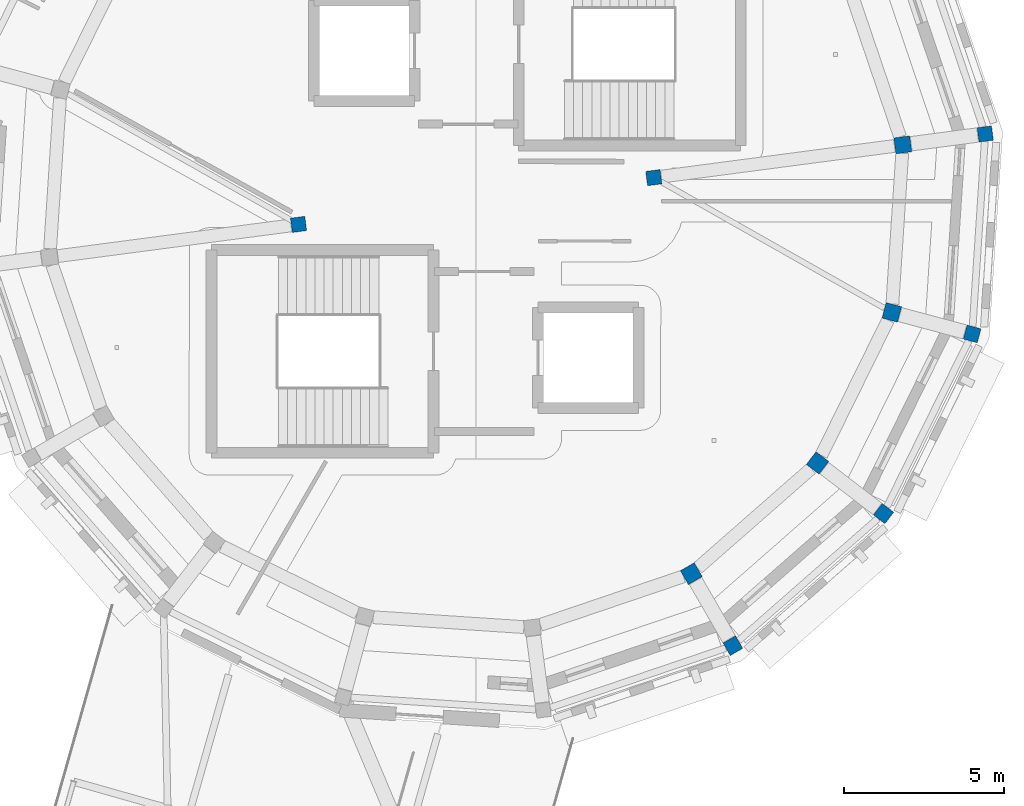
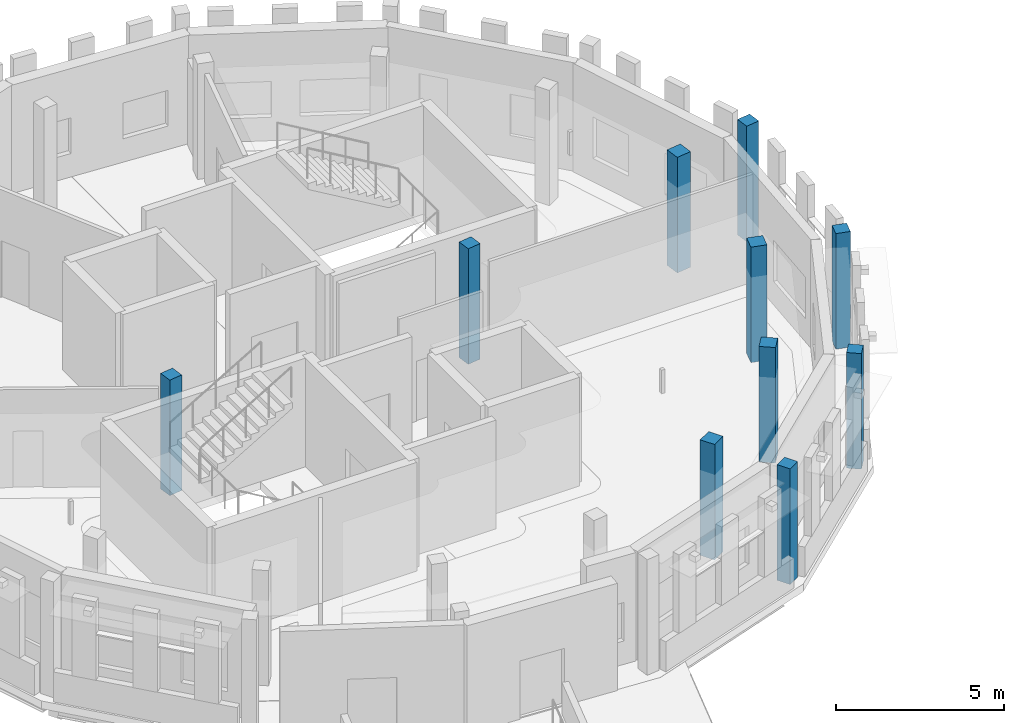
# One storey, part 16 of 68: 10 columns.
"""IFC4 building model written with IfcOpenShell, lengths in metres."""

from ifc_helpers import new_model, si_unit, direction, frame, origin, origin_2d, place, context, subcontext, project, spatial, rectangle, extrude, material, material_profile, profile_set, type_object, element, save


model = new_model("IFC4")

# Units and contexts
model_context = context("Model", 3, precision=1e-05, world=origin(), true_north=direction((0.0, 1.0)))
body_context = subcontext(model_context, "Body", "Model", "MODEL_VIEW")
ifc_project = project(units=[si_unit("LENGTHUNIT", "METRE"), si_unit("AREAUNIT", "SQUARE_METRE"), si_unit("VOLUMEUNIT", "CUBIC_METRE"), si_unit("PLANEANGLEUNIT", "RADIAN"), si_unit("MASSUNIT", "GRAM", prefix="KILO")], contexts=[model_context])

# Site, building, storey
site_placement = place(None, origin())
site = spatial("IfcSite", under=ifc_project, at=site_placement, CompositionType="ELEMENT")
building_placement = place(site_placement, origin())
building = spatial("IfcBuilding", under=site, at=building_placement, Name="Wrenclough Park School", CompositionType="ELEMENT")
storey_placement = place(building_placement, frame((0.0, 0.0, 12.60009765625)))
storey = spatial("IfcBuildingStorey", under=building, at=storey_placement, Name="L03", CompositionType="ELEMENT", Elevation=12.60009765625)

# Columns
ifc_material = material(Name="Concrete C40/50", Category="concrete")
ifc_material_profile_1 = material_profile(ifc_material, rectangle(XDim=0.449951171875, YDim=0.449951171875, at=origin_2d()), Name="RC COL 450x450")
ifc_profile_set_1 = profile_set([ifc_material_profile_1], Name="Concrete C40/50")
column_type_1 = type_object("IfcColumnType", Name="STR-COL-RC450", PredefinedType="COLUMN", material=ifc_profile_set_1)
for number, where, z_axis, x_axis, name in (
    (1, (190.41259765625, 95.594970703125, 0.0), (0.0, 0.0, 1.0), (-0.13052619222, 0.991444861374, 0.0), "D5 L03 column D5-OUT-01"),
    (2, (182.52490234375, 79.600341796875, 0.0), (0.0, 0.0, 1.0), (0.866025403784, 0.5, 0.0), "D5 L03 column D5-OUT-14"),
    (3, (187.2333984375, 83.7294921875, 0.0), (0.0, 0.0, 1.0), (0.608761429009, 0.793353340291, 0.0), "D5 L03 column D5-OUT-15"),
    (4, (190.003173828125, 89.345947265625, 0.0), (0.0, 0.0, 1.0), (0.258819045103, 0.965925826289, 0.0), "D5 L03 column D5-OUT-16"),
    (5, (180.052001953125, 94.23095703125, 0.0), (0.0, 0.0, 1.0), (0.991444861374, 0.13052619222, 0.0), "D5 L03 column D5-INN-01"),
    (6, (168.947998046875, 92.76904296875, 0.0), (0.0, 0.0, 1.0), (-0.991444861374, -0.13052619222, 0.0), "D5 L03 column D5-INN-05"),
):
    element("IfcColumn", number, at=place(storey_placement, frame(where, z_axis=z_axis, x_axis=x_axis)), inside=storey, type_object=column_type_1, Name=name, PredefinedType="COLUMN", context=body_context, shape_type="SweptSolid", body=[
        extrude(rectangle(XDim=0.449951171875, YDim=0.449951171875, at=origin_2d()), origin(), (0.0, 0.0, 1.0), 4.199951171875),
    ])
ifc_material_profile_2 = material_profile(ifc_material, rectangle(XDim=0.5, YDim=0.5, at=origin_2d()), Name="RC COL 500x500")
ifc_profile_set_2 = profile_set([ifc_material_profile_2], Name="Concrete C40/50")
column_type_2 = type_object("IfcColumnType", Name="STR-COL-RC500", PredefinedType="COLUMN", material=ifc_profile_set_2)
for number, where, z_axis, x_axis, name in (
    (7, (187.8349609375, 95.255615234375, 0.0), (0.0, 0.0, 1.0), (-0.13052619222, 0.991444861374, 0.0), "D5 L03 column D5-MID-01"),
    (8, (181.22509765625, 81.85205078125, 0.0), (0.0, 0.0, 1.0), (0.866025403784, 0.5, 0.0), "D5 L03 column D5-MID-14"),
    (9, (185.170654296875, 85.312255859375, 0.0), (0.0, 0.0, 1.0), (0.608761429009, 0.793353340291, 0.0), "D5 L03 column D5-MID-15"),
    (10, (187.49169921875, 90.018798828125, 0.0), (0.0, 0.0, 1.0), (0.258819045103, 0.965925826289, 0.0), "D5 L03 column D5-MID-16"),
):
    element("IfcColumn", number, at=place(storey_placement, frame(where, z_axis=z_axis, x_axis=x_axis)), inside=storey, type_object=column_type_2, Name=name, PredefinedType="COLUMN", context=body_context, shape_type="SweptSolid", body=[
        extrude(rectangle(XDim=0.5, YDim=0.5, at=origin_2d()), origin(), (0.0, 0.0, 1.0), 4.199951171875),
    ])

save(model, "model.ifc")
